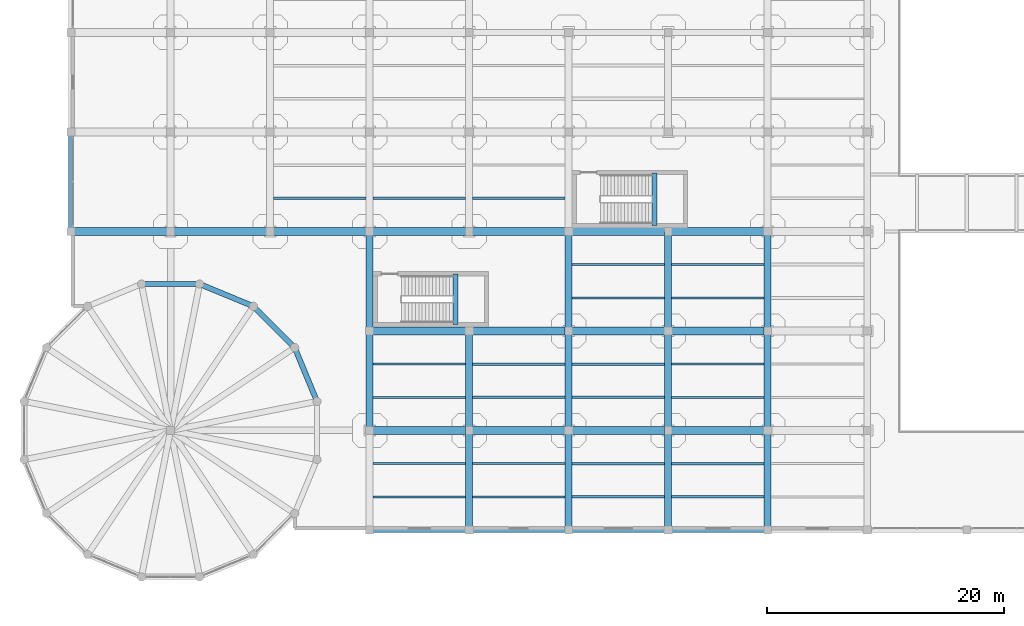
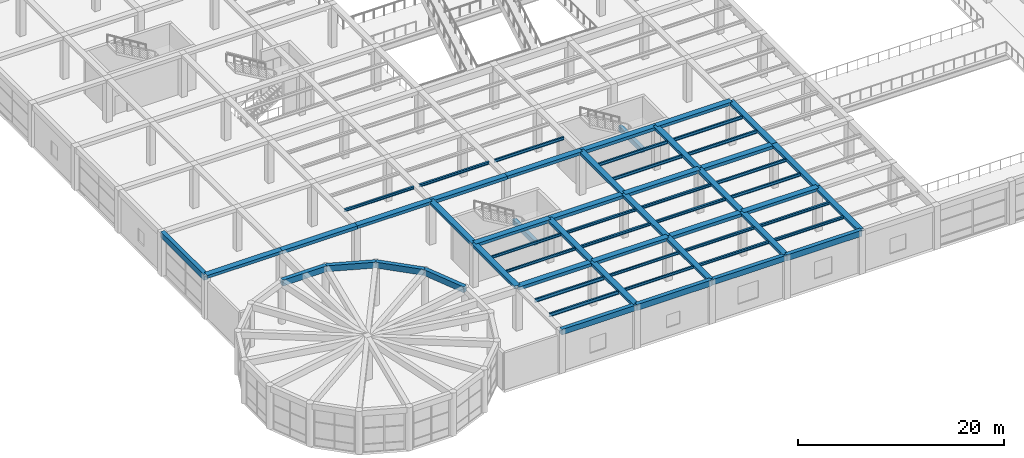
# One storey, part 16 of 96: 62 beams.
"""IFC4 building model written with IfcOpenShell, lengths in metres."""

from ifc_helpers import new_model, si_unit, direction, frame, origin, origin_2d, place, context, subcontext, project, spatial, rectangle, i_section, extrude, material, material_profile, profile_set, type_object, element, save


model = new_model("IFC4")

# Units and contexts
model_context = context("Model", 3, precision=1e-05, world=origin(), true_north=direction((0.0, 1.0)))
body_context = subcontext(model_context, "Body", "Model", "MODEL_VIEW")
ifc_project = project(units=[si_unit("LENGTHUNIT", "METRE"), si_unit("AREAUNIT", "SQUARE_METRE"), si_unit("VOLUMEUNIT", "CUBIC_METRE"), si_unit("PLANEANGLEUNIT", "RADIAN"), si_unit("MASSUNIT", "GRAM", prefix="KILO")], contexts=[model_context])

# Site, building, storey
site_placement = place(None, origin())
site = spatial("IfcSite", under=ifc_project, at=site_placement, CompositionType="ELEMENT")
building_placement = place(site_placement, origin())
building = spatial("IfcBuilding", under=site, at=building_placement, Name="Almacenes y Pasaje Nevantli", CompositionType="ELEMENT")
storey_placement = place(building_placement, frame((0.0, 0.0, 6.0)))
storey = spatial("IfcBuildingStorey", under=building, at=storey_placement, Name="L02", CompositionType="ELEMENT", Elevation=6.0)

# Beams
ifc_material_1 = material(Name="Concrete C35/45", Category="concrete")
ifc_material_profile_1 = material_profile(ifc_material_1, rectangle(XDim=0.39990234375, YDim=0.60009765625, at=origin_2d()), Name="RC-BM-400x600")
ifc_profile_set_1 = profile_set([ifc_material_profile_1], Name="Concrete C35/45")
beam_type_1 = type_object("IfcBeamType", Name="BM-RC-400x600", PredefinedType="SPANDREL", material=ifc_profile_set_1)
beam_1_placement = place(storey_placement, frame((32.449951171875, 17.35009765625, 2.199951171875), z_axis=(0.0, 1.0, 0.0), x_axis=(-1.0, 0.0, 0.0)))
element("IfcBeam", 1, at=beam_1_placement, inside=storey, type_object=beam_type_1, Name="L02 Stair ST-04 Half-Landing Support Beam", PredefinedType="SPANDREL", context=body_context, shape_type="SweptSolid", body=[
    extrude(rectangle(XDim=0.39990234375, YDim=0.60009765625, at=origin_2d()), origin(), (0.0, 0.0, 1.0), 4.25),
])
beam_2_placement = place(storey_placement, frame((49.25, 25.699951171875, 2.199951171875), z_axis=(0.0, 1.0, 0.0), x_axis=(-1.0, 0.0, 0.0)))
element("IfcBeam", 2, at=beam_2_placement, inside=storey, type_object=beam_type_1, Name="L02 Stair ST-14 Half-Landing Support Beam", PredefinedType="SPANDREL", context=body_context, shape_type="SweptSolid", body=[
    extrude(rectangle(XDim=0.39990234375, YDim=0.60009765625, at=origin_2d()), origin(), (0.0, 0.0, 1.0), 4.449951171875),
])
ifc_material_2 = material(Name="Concrete C35/45", Category="concrete")
ifc_material_profile_2 = material_profile(ifc_material_2, rectangle(XDim=0.449951171875, YDim=0.64990234375, at=origin_2d()), Name="RC-BM-450x650")
ifc_profile_set_2 = profile_set([ifc_material_profile_2], Name="Concrete C35/45")
beam_type_2 = type_object("IfcBeamType", Name="BM-RC-450x650", PredefinedType="SPANDREL", material=ifc_profile_set_2)
beam_3_placement = place(storey_placement, frame((25.199951171875, 0.0, 4.77490234375), z_axis=(1.0, 0.0, 0.0), x_axis=(0.0, 1.0, 0.0)))
element("IfcBeam", 3, at=beam_3_placement, inside=storey, type_object=beam_type_2, Name="L02 East-West Reinforced Concrete Beam #1723", PredefinedType="SPANDREL", context=body_context, shape_type="SweptSolid", body=[
    extrude(rectangle(XDim=0.449951171875, YDim=0.64990234375, at=origin_2d()), origin(), (0.0, 0.0, 1.0), 8.400146484375),
])
beam_4_placement = place(storey_placement, frame((42.0, 0.0, 4.77490234375), z_axis=(1.0, 0.0, 0.0), x_axis=(0.0, 1.0, 0.0)))
element("IfcBeam", 4, at=beam_4_placement, inside=storey, type_object=beam_type_2, Name="L02 East-West Reinforced Concrete Beam #1725", PredefinedType="SPANDREL", context=body_context, shape_type="SweptSolid", body=[
    extrude(rectangle(XDim=0.449951171875, YDim=0.64990234375, at=origin_2d()), origin(), (0.0, 0.0, 1.0), 8.39990234375),
])
ifc_material_3 = material(Name="Concrete C35/45", Category="concrete")
ifc_material_profile_3 = material_profile(ifc_material_3, rectangle(XDim=0.449951171875, YDim=0.699951171875, at=origin_2d()), Name="RC-BM-450x700")
ifc_profile_set_3 = profile_set([ifc_material_profile_3], Name="Concrete C35/45")
beam_type_3 = type_object("IfcBeamType", Name="BM-RC-450x700", PredefinedType="SPANDREL", material=ifc_profile_set_3)
beam_5_placement = place(storey_placement, frame((33.60009765625, 0.0, 4.75), z_axis=(1.0, 0.0, 0.0), x_axis=(0.0, 1.0, 0.0)))
element("IfcBeam", 5, at=beam_5_placement, inside=storey, type_object=beam_type_3, Name="L02 East-West Reinforced Concrete Beam #1724", PredefinedType="SPANDREL", context=body_context, shape_type="SweptSolid", body=[
    extrude(rectangle(XDim=0.449951171875, YDim=0.699951171875, at=origin_2d()), origin(), (0.0, 0.0, 1.0), 8.39990234375),
])
for number, where, z_axis, x_axis, name in (
    (6, (50.39990234375, 0.0, 4.75), (1.0, 0.0, 0.0), (0.0, 1.0, 0.0), "L02 East-West Reinforced Concrete Beam #1726"),
    (7, (0.0, 25.199951171875, 4.75), (0.0, 1.0, 0.0), (-1.0, 0.0, 0.0), "L02 North-South Reinforced Concrete Beam #1966"),
):
    element("IfcBeam", number, at=place(storey_placement, frame(where, z_axis=z_axis, x_axis=x_axis)), inside=storey, type_object=beam_type_3, Name=name, PredefinedType="SPANDREL", context=body_context, shape_type="SweptSolid", body=[
        extrude(rectangle(XDim=0.449951171875, YDim=0.699951171875, at=origin_2d()), origin(), (0.0, 0.0, 1.0), 8.400146484375),
    ])
for number, where, z_axis, x_axis, name in (
    (8, (20.7578125, 10.858154296875, 4.75), (-0.382682198272, 0.923880043688, 0.0), (-0.923880043688, -0.382682198272, 0.0), "L02 Rotunda Ring Spandrel Beam #1"),
    (9, (18.87646484375, 15.400146484375, 4.75), (-0.707106781187, 0.707106781187, 0.0), (-0.707106781187, -0.707106781187, 0.0), "L02 Rotunda Ring Spandrel Beam #2"),
    (10, (15.400146484375, 18.87646484375, 4.75), (-0.923880043688, 0.382682198272, 0.0), (-0.382682198272, -0.923880043688, 0.0), "L02 Rotunda Ring Spandrel Beam #3"),
    (11, (10.858154296875, 20.7578125, 4.75), (-1.0, 0.0, 0.0), (0.0, -1.0, 0.0), "L02 Rotunda Ring Spandrel Beam #4"),
):
    element("IfcBeam", number, at=place(storey_placement, frame(where, z_axis=z_axis, x_axis=x_axis)), inside=storey, type_object=beam_type_3, Name=name, PredefinedType="SPANDREL", context=body_context, shape_type="SweptSolid", body=[
        extrude(rectangle(XDim=0.449951171875, YDim=0.699951171875, at=origin_2d()), origin(), (0.0, 0.0, 1.0), 4.916259765625),
    ])
ifc_material_4 = material(Name="Concrete C35/45", Category="concrete")
ifc_material_profile_4 = material_profile(ifc_material_4, rectangle(XDim=0.60009765625, YDim=0.320068359375, at=origin_2d()), Name="RC-BM-600x320")
ifc_profile_set_4 = profile_set([ifc_material_profile_4], Name="Concrete C35/45")
beam_type_4 = type_object("IfcBeamType", Name="BM-RC-600x320", PredefinedType="BEAM", material=ifc_profile_set_4)
beam_6_placement = place(storey_placement, frame((25.199951171875, 16.800048828125, 4.93994140625), z_axis=(0.0, 1.0, 0.0), x_axis=(-1.0, 0.0, 0.0)))
element("IfcBeam", 12, at=beam_6_placement, inside=storey, type_object=beam_type_4, Name="L02 North-South Reinforced Concrete Beam #1999", PredefinedType="BEAM", context=body_context, shape_type="SweptSolid", body=[
    extrude(rectangle(XDim=0.60009765625, YDim=0.320068359375, at=origin_2d()), origin(), (0.0, 0.0, 1.0), 8.39990234375),
])
beam_7_placement = place(storey_placement, frame((33.60009765625, 8.39990234375, 4.93994140625), z_axis=(0.0, 1.0, 0.0), x_axis=(-1.0, 0.0, 0.0)))
element("IfcBeam", 13, at=beam_7_placement, inside=storey, type_object=beam_type_4, Name="L02 North-South Reinforced Concrete Beam #2012", PredefinedType="BEAM", context=body_context, shape_type="SweptSolid", body=[
    extrude(rectangle(XDim=0.60009765625, YDim=0.320068359375, at=origin_2d()), origin(), (0.0, 0.0, 1.0), 8.400146484375),
])
for number, where, z_axis, x_axis, name in (
    (14, (42.0, 0.0, 4.93994140625), (0.0, 1.0, 0.0), (-1.0, 0.0, 0.0), "L02 North-South Reinforced Concrete Beam #2024"),
    (15, (42.0, 16.800048828125, 4.93994140625), (0.0, 1.0, 0.0), (-1.0, 0.0, 0.0), "L02 North-South Reinforced Concrete Beam #2026"),
):
    element("IfcBeam", number, at=place(storey_placement, frame(where, z_axis=z_axis, x_axis=x_axis)), inside=storey, type_object=beam_type_4, Name=name, PredefinedType="BEAM", context=body_context, shape_type="SweptSolid", body=[
        extrude(rectangle(XDim=0.60009765625, YDim=0.320068359375, at=origin_2d()), origin(), (0.0, 0.0, 1.0), 8.39990234375),
    ])
beam_8_placement = place(storey_placement, frame((50.39990234375, 8.39990234375, 4.93994140625), z_axis=(0.0, 1.0, 0.0), x_axis=(-1.0, 0.0, 0.0)))
element("IfcBeam", 16, at=beam_8_placement, inside=storey, type_object=beam_type_4, Name="L02 North-South Reinforced Concrete Beam #2034", PredefinedType="BEAM", context=body_context, shape_type="SweptSolid", body=[
    extrude(rectangle(XDim=0.60009765625, YDim=0.320068359375, at=origin_2d()), origin(), (0.0, 0.0, 1.0), 8.400146484375),
])
for number, where, z_axis, x_axis, name in (
    (17, (58.800048828125, 0.0, 4.93994140625), (0.0, 1.0, 0.0), (-1.0, 0.0, 0.0), "L02 North-South Reinforced Concrete Beam #2042"),
    (18, (58.800048828125, 16.800048828125, 4.93994140625), (0.0, 1.0, 0.0), (-1.0, 0.0, 0.0), "L02 North-South Reinforced Concrete Beam #2044"),
):
    element("IfcBeam", number, at=place(storey_placement, frame(where, z_axis=z_axis, x_axis=x_axis)), inside=storey, type_object=beam_type_4, Name=name, PredefinedType="BEAM", context=body_context, shape_type="SweptSolid", body=[
        extrude(rectangle(XDim=0.60009765625, YDim=0.320068359375, at=origin_2d()), origin(), (0.0, 0.0, 1.0), 8.39990234375),
    ])
ifc_material_5 = material(Name="Concrete C35/45", Category="concrete")
ifc_material_profile_5 = material_profile(ifc_material_5, rectangle(XDim=0.60009765625, YDim=0.340087890625, at=origin_2d()), Name="RC-BM-600x340")
ifc_profile_set_5 = profile_set([ifc_material_profile_5], Name="Concrete C35/45")
beam_type_5 = type_object("IfcBeamType", Name="BM-RC-600x340", PredefinedType="BEAM", material=ifc_profile_set_5)
beam_9_placement = place(storey_placement, frame((25.199951171875, 8.39990234375, 4.929931640625), z_axis=(0.0, 1.0, 0.0), x_axis=(-1.0, 0.0, 0.0)))
element("IfcBeam", 19, at=beam_9_placement, inside=storey, type_object=beam_type_5, Name="L02 North-South Reinforced Concrete Beam #1998", PredefinedType="BEAM", context=body_context, shape_type="SweptSolid", body=[
    extrude(rectangle(XDim=0.60009765625, YDim=0.340087890625, at=origin_2d()), origin(), (0.0, 0.0, 1.0), 8.400146484375),
])
beam_10_placement = place(storey_placement, frame((33.60009765625, 0.0, 4.929931640625), z_axis=(0.0, 1.0, 0.0), x_axis=(-1.0, 0.0, 0.0)))
element("IfcBeam", 20, at=beam_10_placement, inside=storey, type_object=beam_type_5, Name="L02 North-South Reinforced Concrete Beam #2011", PredefinedType="BEAM", context=body_context, shape_type="SweptSolid", body=[
    extrude(rectangle(XDim=0.60009765625, YDim=0.340087890625, at=origin_2d()), origin(), (0.0, 0.0, 1.0), 8.39990234375),
])
beam_11_placement = place(storey_placement, frame((42.0, 8.39990234375, 4.929931640625), z_axis=(0.0, 1.0, 0.0), x_axis=(-1.0, 0.0, 0.0)))
element("IfcBeam", 21, at=beam_11_placement, inside=storey, type_object=beam_type_5, Name="L02 North-South Reinforced Concrete Beam #2025", PredefinedType="BEAM", context=body_context, shape_type="SweptSolid", body=[
    extrude(rectangle(XDim=0.60009765625, YDim=0.340087890625, at=origin_2d()), origin(), (0.0, 0.0, 1.0), 8.400146484375),
])
for number, where, z_axis, x_axis, name in (
    (22, (50.39990234375, 0.0, 4.929931640625), (0.0, 1.0, 0.0), (-1.0, 0.0, 0.0), "L02 North-South Reinforced Concrete Beam #2033"),
    (23, (50.39990234375, 16.800048828125, 4.929931640625), (0.0, 1.0, 0.0), (-1.0, 0.0, 0.0), "L02 North-South Reinforced Concrete Beam #2035"),
):
    element("IfcBeam", number, at=place(storey_placement, frame(where, z_axis=z_axis, x_axis=x_axis)), inside=storey, type_object=beam_type_5, Name=name, PredefinedType="BEAM", context=body_context, shape_type="SweptSolid", body=[
        extrude(rectangle(XDim=0.60009765625, YDim=0.340087890625, at=origin_2d()), origin(), (0.0, 0.0, 1.0), 8.39990234375),
    ])
beam_12_placement = place(storey_placement, frame((58.800048828125, 8.39990234375, 4.929931640625), z_axis=(0.0, 1.0, 0.0), x_axis=(-1.0, 0.0, 0.0)))
element("IfcBeam", 24, at=beam_12_placement, inside=storey, type_object=beam_type_5, Name="L02 North-South Reinforced Concrete Beam #2043", PredefinedType="BEAM", context=body_context, shape_type="SweptSolid", body=[
    extrude(rectangle(XDim=0.60009765625, YDim=0.340087890625, at=origin_2d()), origin(), (0.0, 0.0, 1.0), 8.400146484375),
])
ifc_material_6 = material(Name="Concrete C35/45", Category="concrete")
ifc_material_profile_6 = material_profile(ifc_material_6, rectangle(XDim=0.64990234375, YDim=0.35009765625, at=origin_2d()), Name="RC-BM-650x350")
ifc_profile_set_6 = profile_set([ifc_material_profile_6], Name="Concrete C35/45")
beam_type_6 = type_object("IfcBeamType", Name="BM-RC-650x350", PredefinedType="BEAM", material=ifc_profile_set_6)
beam_13_placement = place(storey_placement, frame((33.60009765625, 8.39990234375, 4.925048828125), z_axis=(1.0, 0.0, 0.0), x_axis=(0.0, 1.0, 0.0)))
element("IfcBeam", 25, at=beam_13_placement, inside=storey, type_object=beam_type_6, Name="L02 East-West Reinforced Concrete Beam #1741", PredefinedType="BEAM", context=body_context, shape_type="SweptSolid", body=[
    extrude(rectangle(XDim=0.64990234375, YDim=0.35009765625, at=origin_2d()), origin(), (0.0, 0.0, 1.0), 8.39990234375),
])
for number, where, z_axis, x_axis, name in (
    (26, (50.39990234375, 8.39990234375, 4.925048828125), (1.0, 0.0, 0.0), (0.0, 1.0, 0.0), "L02 East-West Reinforced Concrete Beam #1743"),
    (27, (25.199951171875, 16.800048828125, 4.925048828125), (1.0, 0.0, 0.0), (0.0, 1.0, 0.0), "L02 East-West Reinforced Concrete Beam #1754"),
):
    element("IfcBeam", number, at=place(storey_placement, frame(where, z_axis=z_axis, x_axis=x_axis)), inside=storey, type_object=beam_type_6, Name=name, PredefinedType="BEAM", context=body_context, shape_type="SweptSolid", body=[
        extrude(rectangle(XDim=0.64990234375, YDim=0.35009765625, at=origin_2d()), origin(), (0.0, 0.0, 1.0), 8.400146484375),
    ])
for number, where, z_axis, x_axis, name in (
    (28, (42.0, 16.800048828125, 4.925048828125), (1.0, 0.0, 0.0), (0.0, 1.0, 0.0), "L02 East-West Reinforced Concrete Beam #1756"),
    (29, (0.0, 25.199951171875, 4.925048828125), (1.0, 0.0, 0.0), (0.0, 1.0, 0.0), "L02 East-West Reinforced Concrete Beam #1768"),
    (30, (16.800048828125, 25.199951171875, 4.925048828125), (1.0, 0.0, 0.0), (0.0, 1.0, 0.0), "L02 East-West Reinforced Concrete Beam #1770"),
    (31, (33.60009765625, 25.199951171875, 4.925048828125), (1.0, 0.0, 0.0), (0.0, 1.0, 0.0), "L02 East-West Reinforced Concrete Beam #1772"),
):
    element("IfcBeam", number, at=place(storey_placement, frame(where, z_axis=z_axis, x_axis=x_axis)), inside=storey, type_object=beam_type_6, Name=name, PredefinedType="BEAM", context=body_context, shape_type="SweptSolid", body=[
        extrude(rectangle(XDim=0.64990234375, YDim=0.35009765625, at=origin_2d()), origin(), (0.0, 0.0, 1.0), 8.39990234375),
    ])
beam_14_placement = place(storey_placement, frame((50.39990234375, 25.199951171875, 4.925048828125), z_axis=(1.0, 0.0, 0.0), x_axis=(0.0, 1.0, 0.0)))
element("IfcBeam", 32, at=beam_14_placement, inside=storey, type_object=beam_type_6, Name="L02 East-West Reinforced Concrete Beam #1774", PredefinedType="BEAM", context=body_context, shape_type="SweptSolid", body=[
    extrude(rectangle(XDim=0.64990234375, YDim=0.35009765625, at=origin_2d()), origin(), (0.0, 0.0, 1.0), 8.400146484375),
])
ifc_material_7 = material(Name="Concrete C35/45", Category="concrete")
ifc_material_profile_7 = material_profile(ifc_material_7, rectangle(XDim=0.64990234375, YDim=0.3798828125, at=origin_2d()), Name="RC-BM-650x380")
ifc_profile_set_7 = profile_set([ifc_material_profile_7], Name="Concrete C35/45")
beam_type_7 = type_object("IfcBeamType", Name="BM-RC-650x380", PredefinedType="BEAM", material=ifc_profile_set_7)
beam_15_placement = place(storey_placement, frame((25.199951171875, 8.39990234375, 4.909912109375), z_axis=(1.0, 0.0, 0.0), x_axis=(0.0, 1.0, 0.0)))
element("IfcBeam", 33, at=beam_15_placement, inside=storey, type_object=beam_type_7, Name="L02 East-West Reinforced Concrete Beam #1740", PredefinedType="BEAM", context=body_context, shape_type="SweptSolid", body=[
    extrude(rectangle(XDim=0.64990234375, YDim=0.3798828125, at=origin_2d()), origin(), (0.0, 0.0, 1.0), 8.400146484375),
])
for number, where, z_axis, x_axis, name in (
    (34, (42.0, 8.39990234375, 4.909912109375), (1.0, 0.0, 0.0), (0.0, 1.0, 0.0), "L02 East-West Reinforced Concrete Beam #1742"),
    (35, (33.60009765625, 16.800048828125, 4.909912109375), (1.0, 0.0, 0.0), (0.0, 1.0, 0.0), "L02 East-West Reinforced Concrete Beam #1755"),
):
    element("IfcBeam", number, at=place(storey_placement, frame(where, z_axis=z_axis, x_axis=x_axis)), inside=storey, type_object=beam_type_7, Name=name, PredefinedType="BEAM", context=body_context, shape_type="SweptSolid", body=[
        extrude(rectangle(XDim=0.64990234375, YDim=0.3798828125, at=origin_2d()), origin(), (0.0, 0.0, 1.0), 8.39990234375),
    ])
for number, where, z_axis, x_axis, name in (
    (36, (50.39990234375, 16.800048828125, 4.909912109375), (1.0, 0.0, 0.0), (0.0, 1.0, 0.0), "L02 East-West Reinforced Concrete Beam #1757"),
    (37, (8.39990234375, 25.199951171875, 4.909912109375), (1.0, 0.0, 0.0), (0.0, 1.0, 0.0), "L02 East-West Reinforced Concrete Beam #1769"),
    (38, (25.199951171875, 25.199951171875, 4.909912109375), (1.0, 0.0, 0.0), (0.0, 1.0, 0.0), "L02 East-West Reinforced Concrete Beam #1771"),
):
    element("IfcBeam", number, at=place(storey_placement, frame(where, z_axis=z_axis, x_axis=x_axis)), inside=storey, type_object=beam_type_7, Name=name, PredefinedType="BEAM", context=body_context, shape_type="SweptSolid", body=[
        extrude(rectangle(XDim=0.64990234375, YDim=0.3798828125, at=origin_2d()), origin(), (0.0, 0.0, 1.0), 8.400146484375),
    ])
beam_16_placement = place(storey_placement, frame((42.0, 25.199951171875, 4.909912109375), z_axis=(1.0, 0.0, 0.0), x_axis=(0.0, 1.0, 0.0)))
element("IfcBeam", 39, at=beam_16_placement, inside=storey, type_object=beam_type_7, Name="L02 East-West Reinforced Concrete Beam #1773", PredefinedType="BEAM", context=body_context, shape_type="SweptSolid", body=[
    extrude(rectangle(XDim=0.64990234375, YDim=0.3798828125, at=origin_2d()), origin(), (0.0, 0.0, 1.0), 8.39990234375),
])
ifc_material_8 = material(Name="Steel ASTM A992", Category="steel")
ifc_material_profile_8 = material_profile(ifc_material_8, i_section(OverallWidth=0.1650390625, OverallDepth=0.306884765625, WebThickness=0.006591796875, FlangeThickness=0.01025390625, at=origin_2d()), Name="IR 305x44.6")
ifc_profile_set_8 = profile_set([ifc_material_profile_8], Name="Steel ASTM A992")
beam_type_8 = type_object("IfcBeamType", Name="BM-STL-IR-305x44p6", PredefinedType="JOIST", material=ifc_profile_set_8)
for number, where, z_axis, x_axis, name in (
    (40, (25.5, 11.199951171875, 4.9384765625), (1.0, 0.0, 0.0), (0.0, 1.0, 0.0), "L02 Secondary Steel Floor Joist #361"),
    (41, (25.5, 14.0, 4.9384765625), (1.0, 0.0, 0.0), (0.0, 1.0, 0.0), "L02 Secondary Steel Floor Joist #362"),
    (42, (33.89990234375, 2.800048828125, 4.9384765625), (1.0, 0.0, 0.0), (0.0, 1.0, 0.0), "L02 Secondary Steel Floor Joist #383"),
    (43, (33.89990234375, 5.60009765625, 4.9384765625), (1.0, 0.0, 0.0), (0.0, 1.0, 0.0), "L02 Secondary Steel Floor Joist #384"),
):
    element("IfcBeam", number, at=place(storey_placement, frame(where, z_axis=z_axis, x_axis=x_axis)), inside=storey, type_object=beam_type_8, Name=name, PredefinedType="JOIST", context=body_context, shape_type="SweptSolid", body=[
        extrude(i_section(OverallWidth=0.1650390625, OverallDepth=0.306884765625, WebThickness=0.006591796875, FlangeThickness=0.01025390625, at=origin_2d()), origin(), (0.0, 0.0, 1.0), 7.800048828125),
    ])
ifc_material_9 = material(Name="Steel ASTM A992", Category="steel")
ifc_material_profile_9 = material_profile(ifc_material_9, i_section(OverallWidth=0.202880859375, OverallDepth=0.304931640625, WebThickness=0.007568359375, FlangeThickness=0.01318359375, at=origin_2d()), Name="IR 305x59.5")
ifc_profile_set_9 = profile_set([ifc_material_profile_9], Name="Steel ASTM A992")
beam_type_9 = type_object("IfcBeamType", Name="BM-STL-IR-305x59p5", PredefinedType="JOIST", material=ifc_profile_set_9)
beam_17_placement = place(storey_placement, frame((17.10009765625, 28.0, 4.939453125), z_axis=(1.0, 0.0, 0.0), x_axis=(0.0, 1.0, 0.0)))
element("IfcBeam", 44, at=beam_17_placement, inside=storey, type_object=beam_type_9, Name="L02 Secondary Steel Floor Joist #343", PredefinedType="JOIST", context=body_context, shape_type="SweptSolid", body=[
    extrude(i_section(OverallWidth=0.202880859375, OverallDepth=0.304931640625, WebThickness=0.007568359375, FlangeThickness=0.01318359375, at=origin_2d()), origin(), (0.0, 0.0, 1.0), 7.7998046875),
])
for number, where, z_axis, x_axis, name in (
    (45, (33.89990234375, 11.199951171875, 4.939453125), (1.0, 0.0, 0.0), (0.0, 1.0, 0.0), "L02 Secondary Steel Floor Joist #385"),
    (46, (33.89990234375, 14.0, 4.939453125), (1.0, 0.0, 0.0), (0.0, 1.0, 0.0), "L02 Secondary Steel Floor Joist #386"),
    (47, (42.300048828125, 2.800048828125, 4.939453125), (1.0, 0.0, 0.0), (0.0, 1.0, 0.0), "L02 Secondary Steel Floor Joist #399"),
    (48, (42.300048828125, 5.60009765625, 4.939453125), (1.0, 0.0, 0.0), (0.0, 1.0, 0.0), "L02 Secondary Steel Floor Joist #400"),
):
    element("IfcBeam", number, at=place(storey_placement, frame(where, z_axis=z_axis, x_axis=x_axis)), inside=storey, type_object=beam_type_9, Name=name, PredefinedType="JOIST", context=body_context, shape_type="SweptSolid", body=[
        extrude(i_section(OverallWidth=0.202880859375, OverallDepth=0.304931640625, WebThickness=0.007568359375, FlangeThickness=0.01318359375, at=origin_2d()), origin(), (0.0, 0.0, 1.0), 7.800048828125),
    ])
ifc_material_10 = material(Name="Steel ASTM A992", Category="steel")
ifc_material_profile_10 = material_profile(ifc_material_10, i_section(OverallWidth=0.205078125, OverallDepth=0.31005859375, WebThickness=0.009521484375, FlangeThickness=0.016357421875, at=origin_2d()), Name="IR 305x74.4")
ifc_profile_set_10 = profile_set([ifc_material_profile_10], Name="Steel ASTM A992")
beam_type_10 = type_object("IfcBeamType", Name="BM-STL-IR-305x74p4", PredefinedType="JOIST", material=ifc_profile_set_10)
for number, where, z_axis, x_axis, name in (
    (49, (25.5, 28.0, 4.93701171875), (1.0, 0.0, 0.0), (0.0, 1.0, 0.0), "L02 Secondary Steel Floor Joist #363"),
    (50, (42.300048828125, 11.199951171875, 4.93701171875), (1.0, 0.0, 0.0), (0.0, 1.0, 0.0), "L02 Secondary Steel Floor Joist #401"),
    (51, (42.300048828125, 14.0, 4.93701171875), (1.0, 0.0, 0.0), (0.0, 1.0, 0.0), "L02 Secondary Steel Floor Joist #402"),
    (52, (50.699951171875, 2.800048828125, 4.93701171875), (1.0, 0.0, 0.0), (0.0, 1.0, 0.0), "L02 Secondary Steel Floor Joist #415"),
    (53, (50.699951171875, 5.60009765625, 4.93701171875), (1.0, 0.0, 0.0), (0.0, 1.0, 0.0), "L02 Secondary Steel Floor Joist #416"),
):
    element("IfcBeam", number, at=place(storey_placement, frame(where, z_axis=z_axis, x_axis=x_axis)), inside=storey, type_object=beam_type_10, Name=name, PredefinedType="JOIST", context=body_context, shape_type="SweptSolid", body=[
        extrude(i_section(OverallWidth=0.205078125, OverallDepth=0.31005859375, WebThickness=0.009521484375, FlangeThickness=0.016357421875, at=origin_2d()), origin(), (0.0, 0.0, 1.0), 7.800048828125),
    ])
ifc_material_11 = material(Name="Steel ASTM A992", Category="steel")
ifc_material_profile_11 = material_profile(ifc_material_11, i_section(OverallWidth=0.173095703125, OverallDepth=0.35302734375, WebThickness=0.0078125, FlangeThickness=0.01318359375, at=origin_2d()), Name="IR 356x56.6")
ifc_profile_set_11 = profile_set([ifc_material_profile_11], Name="Steel ASTM A992")
beam_type_11 = type_object("IfcBeamType", Name="BM-STL-IR-356x56p6", PredefinedType="JOIST", material=ifc_profile_set_11)
for number, where, z_axis, x_axis, name in (
    (54, (33.89990234375, 28.0, 4.91552734375), (1.0, 0.0, 0.0), (0.0, 1.0, 0.0), "L02 Secondary Steel Floor Joist #387"),
    (55, (42.300048828125, 19.60009765625, 4.91552734375), (1.0, 0.0, 0.0), (0.0, 1.0, 0.0), "L02 Secondary Steel Floor Joist #403"),
    (56, (42.300048828125, 22.39990234375, 4.91552734375), (1.0, 0.0, 0.0), (0.0, 1.0, 0.0), "L02 Secondary Steel Floor Joist #404"),
    (57, (50.699951171875, 11.199951171875, 4.91552734375), (1.0, 0.0, 0.0), (0.0, 1.0, 0.0), "L02 Secondary Steel Floor Joist #417"),
    (58, (50.699951171875, 14.0, 4.91552734375), (1.0, 0.0, 0.0), (0.0, 1.0, 0.0), "L02 Secondary Steel Floor Joist #418"),
):
    element("IfcBeam", number, at=place(storey_placement, frame(where, z_axis=z_axis, x_axis=x_axis)), inside=storey, type_object=beam_type_11, Name=name, PredefinedType="JOIST", context=body_context, shape_type="SweptSolid", body=[
        extrude(i_section(OverallWidth=0.173095703125, OverallDepth=0.35302734375, WebThickness=0.0078125, FlangeThickness=0.01318359375, at=origin_2d()), origin(), (0.0, 0.0, 1.0), 7.800048828125),
    ])
ifc_material_12 = material(Name="Steel ASTM A992", Category="steel")
ifc_material_profile_12 = material_profile(ifc_material_12, i_section(OverallWidth=0.173095703125, OverallDepth=0.364013671875, WebThickness=0.009033203125, FlangeThickness=0.015625, at=origin_2d()), Name="IR 356x67.0")
ifc_profile_set_12 = profile_set([ifc_material_profile_12], Name="Steel ASTM A992")
beam_type_12 = type_object("IfcBeamType", Name="BM-STL-IR-356x67p0", PredefinedType="JOIST", material=ifc_profile_set_12)
for number, where, z_axis, x_axis, name in (
    (59, (50.699951171875, 19.60009765625, 4.909912109375), (1.0, 0.0, 0.0), (0.0, 1.0, 0.0), "L02 Secondary Steel Floor Joist #419"),
    (60, (50.699951171875, 22.39990234375, 4.909912109375), (1.0, 0.0, 0.0), (0.0, 1.0, 0.0), "L02 Secondary Steel Floor Joist #420"),
):
    element("IfcBeam", number, at=place(storey_placement, frame(where, z_axis=z_axis, x_axis=x_axis)), inside=storey, type_object=beam_type_12, Name=name, PredefinedType="JOIST", context=body_context, shape_type="SweptSolid", body=[
        extrude(i_section(OverallWidth=0.173095703125, OverallDepth=0.364013671875, WebThickness=0.009033203125, FlangeThickness=0.015625, at=origin_2d()), origin(), (0.0, 0.0, 1.0), 7.800048828125),
    ])
ifc_material_13 = material(Name="Steel ASTM A992", Category="steel")
ifc_material_profile_13 = material_profile(ifc_material_13, i_section(OverallWidth=0.178955078125, OverallDepth=0.406005859375, WebThickness=0.0087890625, FlangeThickness=0.014404296875, at=origin_2d()), Name="IR 406x67.0")
ifc_profile_set_13 = profile_set([ifc_material_profile_13], Name="Steel ASTM A992")
beam_type_13 = type_object("IfcBeamType", Name="BM-STL-IR-406x67p0", PredefinedType="JOIST", material=ifc_profile_set_13)
for number, where, z_axis, x_axis, name in (
    (61, (25.5, 2.800048828125, 4.888916015625), (1.0, 0.0, 0.0), (0.0, 1.0, 0.0), "L02 Secondary Steel Floor Joist #359"),
    (62, (25.5, 5.60009765625, 4.888916015625), (1.0, 0.0, 0.0), (0.0, 1.0, 0.0), "L02 Secondary Steel Floor Joist #360"),
):
    element("IfcBeam", number, at=place(storey_placement, frame(where, z_axis=z_axis, x_axis=x_axis)), inside=storey, type_object=beam_type_13, Name=name, PredefinedType="JOIST", context=body_context, shape_type="SweptSolid", body=[
        extrude(i_section(OverallWidth=0.178955078125, OverallDepth=0.406005859375, WebThickness=0.0087890625, FlangeThickness=0.014404296875, at=origin_2d()), origin(), (0.0, 0.0, 1.0), 7.800048828125),
    ])

save(model, "model.ifc")
